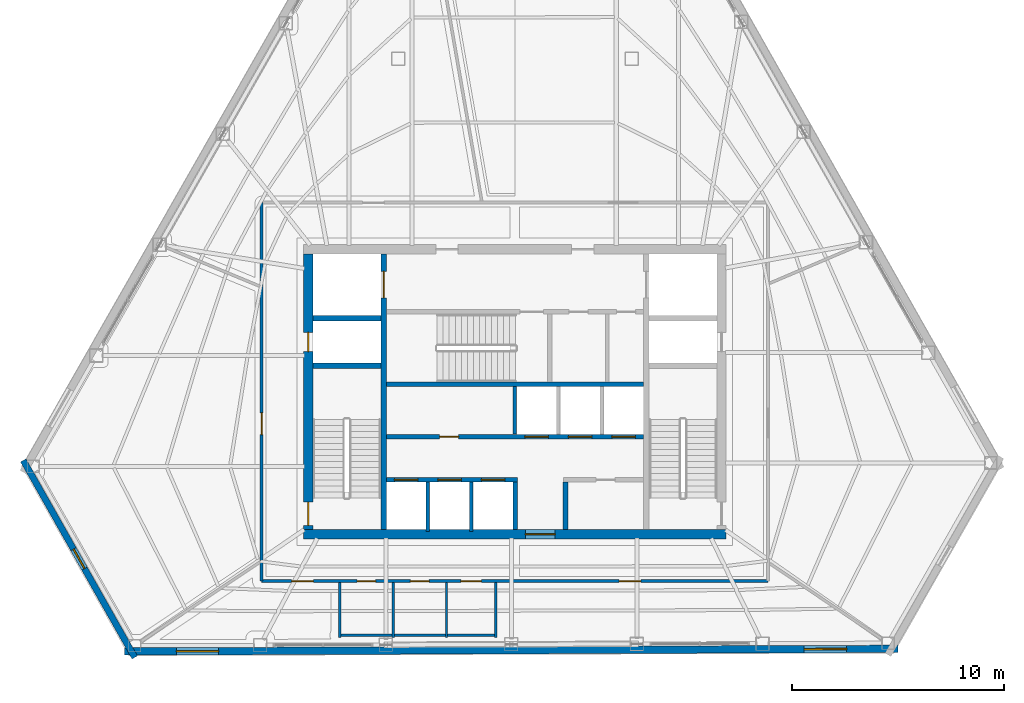
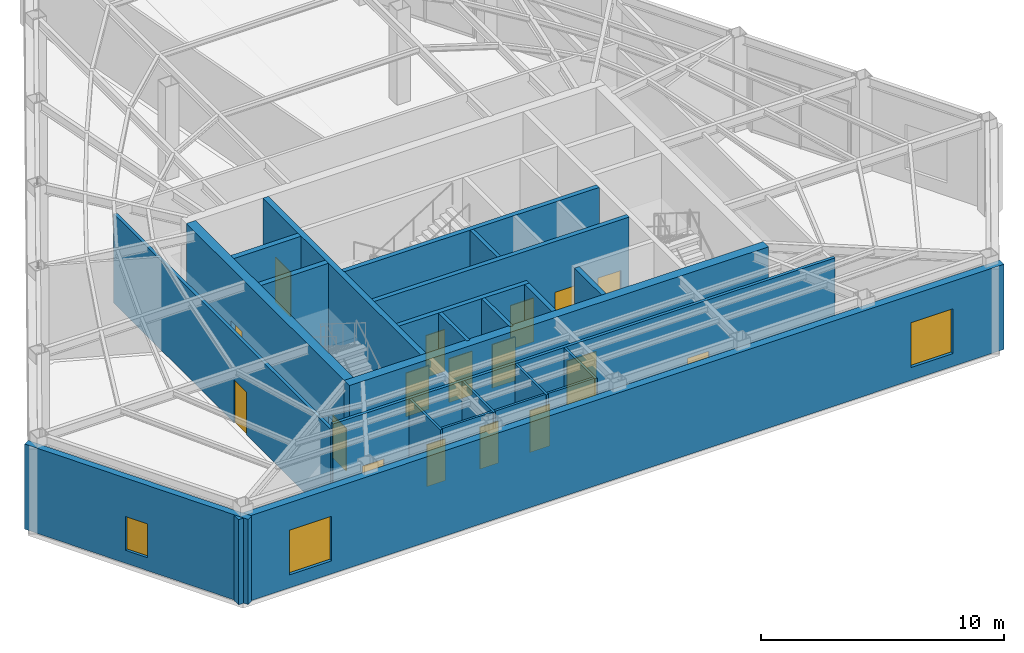
# One storey, part 10 of 14: 22 walls, 17 doors, 3 windows, 20 openings.
"""IFC4 building model written with IfcOpenShell, lengths in metres."""

from ifc_helpers import new_model, si_unit, direction, frame, frame_2d, origin, place, context, subcontext, project, spatial, rectangle, extrude, material, layer, layer_set, type_object, element, fill, save


model = new_model("IFC4")

# Units and contexts
model_context = context("Model", 3, precision=1e-05, world=origin(), true_north=direction((0.0, 1.0)))
body_context = subcontext(model_context, "Body", "Model", "MODEL_VIEW")
ifc_project = project(units=[si_unit("LENGTHUNIT", "METRE"), si_unit("AREAUNIT", "SQUARE_METRE"), si_unit("VOLUMEUNIT", "CUBIC_METRE"), si_unit("PLANEANGLEUNIT", "RADIAN"), si_unit("MASSUNIT", "GRAM", prefix="KILO")], contexts=[model_context])

# Site, building, storey
site_placement = place(None, origin())
site = spatial("IfcSite", under=ifc_project, at=site_placement, CompositionType="ELEMENT")
building_placement = place(site_placement, origin())
building = spatial("IfcBuilding", under=site, at=building_placement, Name="Kavelnor Concourse Tower", CompositionType="ELEMENT")
storey_placement = place(building_placement, frame((0.0, 0.0, 160.0)))
storey = spatial("IfcBuildingStorey", under=building, at=storey_placement, Name="L40", CompositionType="ELEMENT", Elevation=160.0)

# Wall, opening, door
ifc_material_1 = material(Name="Concrete C50/60", Category="concrete")
ifc_layer_1 = layer(ifc_material_1, 0.43994140625, Name="Concrete C50/60")
ifc_layer_set_1 = layer_set([ifc_layer_1], Name="Concrete C50/60")
wall_type_1 = type_object("IfcWallType", Name="WL-CORE-Z3-440", PredefinedType="SOLIDWALL", material=ifc_layer_set_1)
wall_1_placement = place(storey_placement, frame((28.0400390625, 9.3798828125, 0.0), z_axis=(0.0, 0.0, 1.0), x_axis=(1.0, 0.0, 0.0)))
wall_1 = element("IfcWall", 1, at=wall_1_placement, inside=storey, type_object=wall_type_1, Name="L40 Central Core South Shear Wall", PredefinedType="SOLIDWALL", context=body_context, shape_type="SweptSolid", body=[
    extrude(rectangle(XDim=19.919921875, YDim=0.43994140625, at=frame_2d((9.9599609375, 0.0))), origin(), (0.0, 0.0, 1.0), 4.75),
])
opening_1_placement = place(wall_1_placement, frame((10.4599609375, 0.0, 0.0)))
opening_1 = element("IfcOpeningElement", 2, at=opening_1_placement, cuts=wall_1, Name="Opening SD-140", PredefinedType="OPENING", context=body_context, shape_type="SweptSolid", body=[
    extrude(rectangle(XDim=1.39990234375, YDim=2.199951171875, at=frame_2d((0.699951171875, 1.10009765625))), frame((0.0, 0.22998046875, 0.0), z_axis=(0.0, -1.0, 0.0), x_axis=(1.0, 0.0, 0.0)), (0.0, 0.0, 1.0), 0.4599609375),
])
ifc_material_2 = material(Name="Solid-core hardwood timber", Category="wood")
door_type_1 = type_object("IfcDoorType", Name="DR-SUITE-ENTRY-1400", OperationType="NOTDEFINED", PredefinedType="DOOR", material=ifc_material_2)
door_1_placement = place(opening_1_placement, origin())
door_1 = element("IfcDoor", 3, at=door_1_placement, inside=storey, type_object=door_type_1, Name="L40 Passenger Lift Lobby Entry Door", OperationType="SINGLE_SWING_LEFT", OverallHeight=2.199951171875, OverallWidth=1.39990234375, PredefinedType="DOOR", context=body_context, shape_type="SweptSolid", body=[
    extrude(rectangle(XDim=1.39990234375, YDim=2.199951171875, at=frame_2d((0.699951171875, 1.10009765625))), frame((0.0, 0.02490234375, 0.0), z_axis=(0.0, -1.0, 0.0), x_axis=(1.0, 0.0, 0.0)), (0.0, 0.0, 1.0), 0.050048828125),
])
fill(opening_1, door_1)

# Wall, openings, doors
wall_2_placement = place(storey_placement, frame((28.260009765625, 9.60009765625, 0.0), z_axis=(0.0, 0.0, 1.0), x_axis=(0.0, 1.0, 0.0)))
wall_2 = element("IfcWall", 4, at=wall_2_placement, inside=storey, type_object=wall_type_1, Name="L40 Central Core West Shear Wall", PredefinedType="SOLIDWALL", context=body_context, shape_type="SweptSolid", body=[
    extrude(rectangle(XDim=13.0, YDim=0.43994140625, at=frame_2d((6.5, 0.0))), origin(), (0.0, 0.0, 1.0), 4.75),
])
opening_2_placement = place(wall_2_placement, frame((0.199951171875, 0.0, 0.0)))
opening_2 = element("IfcOpeningElement", 5, at=opening_2_placement, cuts=wall_2, Name="Opening FD-110", PredefinedType="OPENING", context=body_context, shape_type="SweptSolid", body=[
    extrude(rectangle(XDim=1.10009765625, YDim=2.14990234375, at=frame_2d((0.550048828125, 1.074951171875))), frame((0.0, 0.22998046875, 0.0), z_axis=(0.0, -1.0, 0.0), x_axis=(1.0, 0.0, 0.0)), (0.0, 0.0, 1.0), 0.4599609375),
])
opening_3_placement = place(wall_2_placement, frame((8.39990234375, 0.0, 0.0)))
opening_3 = element("IfcOpeningElement", 6, at=opening_3_placement, cuts=wall_2, Name="Opening FD-090", PredefinedType="OPENING", context=body_context, shape_type="SweptSolid", body=[
    extrude(rectangle(XDim=0.89990234375, YDim=2.10009765625, at=frame_2d((0.449951171875, 1.050048828125))), frame((0.0, 0.22998046875, 0.0), z_axis=(0.0, -1.0, 0.0), x_axis=(1.0, 0.0, 0.0)), (0.0, 0.0, 1.0), 0.4599609375),
])
ifc_material_3 = material(Name="Steel Grade 350", Category="steel")
door_type_2 = type_object("IfcDoorType", Name="DR-RISER-FIRE-900", OperationType="NOTDEFINED", PredefinedType="DOOR", material=ifc_material_3)
door_2_placement = place(opening_3_placement, origin())
door_2 = element("IfcDoor", 7, at=door_2_placement, inside=storey, type_object=door_type_2, Name="L40 West Riser Access Door", OperationType="SINGLE_SWING_RIGHT", OverallHeight=2.10009765625, OverallWidth=0.89990234375, PredefinedType="DOOR", context=body_context, shape_type="SweptSolid", body=[
    extrude(rectangle(XDim=0.89990234375, YDim=2.10009765625, at=frame_2d((0.449951171875, 1.050048828125))), frame((0.0, 0.02490234375, 0.0), z_axis=(0.0, -1.0, 0.0), x_axis=(1.0, 0.0, 0.0)), (0.0, 0.0, 1.0), 0.050048828125),
])
fill(opening_3, door_2)
door_type_3 = type_object("IfcDoorType", Name="DR-STAIR-FIRE-1100", OperationType="NOTDEFINED", PredefinedType="DOOR", material=ifc_material_3)
door_3_placement = place(opening_2_placement, origin())
door_3 = element("IfcDoor", 8, at=door_3_placement, inside=storey, type_object=door_type_3, Name="L40 Stair ST1 Fire Door", OperationType="SINGLE_SWING_LEFT", OverallHeight=2.14990234375, OverallWidth=1.10009765625, PredefinedType="DOOR", context=body_context, shape_type="SweptSolid", body=[
    extrude(rectangle(XDim=1.10009765625, YDim=2.14990234375, at=frame_2d((0.550048828125, 1.074951171875))), frame((0.0, 0.02490234375, 0.0), z_axis=(0.0, -1.0, 0.0), x_axis=(1.0, 0.0, 0.0)), (0.0, 0.0, 1.0), 0.050048828125),
])
fill(opening_2, door_3)

# Wall, opening, window
ifc_material_4 = material(Name="Buff ironspot clay face brick masonry", Category="masonry")
ifc_layer_2 = layer(ifc_material_4, 0.300048828125, Name="Buff ironspot clay face brick masonry")
ifc_layer_set_2 = layer_set([ifc_layer_2], Name="Buff ironspot clay face brick masonry")
wall_type_2 = type_object("IfcWallType", Name="WL-EXT-BUFF-BRICK-FOLD-300", PredefinedType="STANDARD", material=ifc_layer_set_2)
wall_3_placement = place(storey_placement, frame((20.08349609375, 3.58203125, 0.0), z_axis=(0.0, 0.0, 1.0), x_axis=(-0.492483138228, 0.870321985567, 0.0)))
wall_3 = element("IfcWall", 9, at=wall_3_placement, inside=storey, type_object=wall_type_2, Name="L40 Exterior Brick Facade Wall E2", PredefinedType="STANDARD", context=body_context, shape_type="SweptSolid", body=[
    extrude(rectangle(XDim=10.671142578125, YDim=0.300048828125, at=frame_2d((5.33544921875, 0.0))), origin(), (0.0, 0.0, 1.0), 4.281982421875),
])
opening_4_placement = place(wall_3_placement, frame((4.810546875, 0.0, 0.64990234375)))
opening_4 = element("IfcOpeningElement", 10, at=opening_4_placement, cuts=wall_3, Name="Opening W-06", PredefinedType="OPENING", context=body_context, shape_type="SweptSolid", body=[
    extrude(rectangle(XDim=1.050048828125, YDim=1.699951171875, at=frame_2d((0.52490234375, 0.85009765625))), frame((0.0, 0.16015625, 0.0), z_axis=(0.0, -1.0, 0.0), x_axis=(1.0, 0.0, 0.0)), (0.0, 0.0, 1.0), 0.320068359375),
])
ifc_material_5 = material(Name="Double low-E argon insulated glazing", Category="glass")
window_type_1 = type_object("IfcWindowType", Name="WIN-FOLD-1050", PartitioningType="SINGLE_PANEL", PredefinedType="WINDOW", material=ifc_material_5)
window_1_placement = place(opening_4_placement, origin())
window_1 = element("IfcWindow", 11, at=window_1_placement, inside=storey, type_object=window_type_1, Name="L40 Chamfer-Fold Facet Window C1", OverallHeight=1.699951171875, OverallWidth=1.050048828125, PartitioningType="SINGLE_PANEL", PredefinedType="WINDOW", context=body_context, shape_type="SweptSolid", body=[
    extrude(rectangle(XDim=1.050048828125, YDim=1.699951171875, at=frame_2d((0.52490234375, 0.85009765625))), frame((0.0, 0.030029296875, 0.0), z_axis=(0.0, -1.0, 0.0), x_axis=(1.0, 0.0, 0.0)), (0.0, 0.0, 1.0), 0.06005859375),
])
fill(opening_4, window_1)

# Wall, openings, windows
ifc_material_6 = material(Name="Red-ochre clay face brick masonry", Category="masonry")
ifc_layer_3 = layer(ifc_material_6, 0.35009765625, Name="Red-ochre clay face brick masonry")
ifc_layer_set_3 = layer_set([ifc_layer_3], Name="Red-ochre clay face brick masonry")
wall_type_3 = type_object("IfcWallType", Name="WL-EXT-RED-BRICK-PIER-350", PredefinedType="STANDARD", material=ifc_layer_set_3)
wall_4_placement = place(storey_placement, frame((56.0673828125, 3.985107421875, 0.0), z_axis=(0.0, 0.0, 1.0), x_axis=(-0.999994307151, -0.003374265262, 0.0)))
wall_4 = element("IfcWall", 12, at=wall_4_placement, inside=storey, type_object=wall_type_3, Name="L40 Exterior Brick Facade Wall E3", PredefinedType="STANDARD", context=body_context, shape_type="SweptSolid", body=[
    extrude(rectangle(XDim=36.46630859375, YDim=0.35009765625, at=frame_2d((18.233154296875, 0.0))), origin(), (0.0, 0.0, 1.0), 4.281982421875),
])
opening_5_placement = place(wall_4_placement, frame((32.026123046875, 0.0, 0.64990234375)))
opening_5 = element("IfcOpeningElement", 13, at=opening_5_placement, cuts=wall_4, Name="Opening W-07", PredefinedType="OPENING", context=body_context, shape_type="SweptSolid", body=[
    extrude(rectangle(XDim=2.0, YDim=2.25, at=frame_2d((1.0, 1.125))), frame((0.0, 0.18505859375, 0.0), z_axis=(0.0, -1.0, 0.0), x_axis=(1.0, 0.0, 0.0)), (0.0, 0.0, 1.0), 0.3701171875),
])
opening_6_placement = place(wall_4_placement, frame((2.436767578125, 0.0, 0.64990234375)))
opening_6 = element("IfcOpeningElement", 14, at=opening_6_placement, cuts=wall_4, Name="Opening W-07", PredefinedType="OPENING", context=body_context, shape_type="SweptSolid", body=[
    extrude(rectangle(XDim=2.0, YDim=2.25, at=frame_2d((1.0, 1.125))), frame((0.0, 0.18505859375, 0.0), z_axis=(0.0, -1.0, 0.0), x_axis=(1.0, 0.0, 0.0)), (0.0, 0.0, 1.0), 0.3701171875),
])
window_type_2 = type_object("IfcWindowType", Name="WIN-SKYLOBBY-2200", PartitioningType="SINGLE_PANEL", PredefinedType="WINDOW", material=ifc_material_5)
window_2_placement = place(opening_5_placement, origin())
window_2 = element("IfcWindow", 15, at=window_2_placement, inside=storey, type_object=window_type_2, Name="L40 Deep-Set Brick Pier Window F1-B0", OverallHeight=2.25, OverallWidth=2.0, PartitioningType="SINGLE_PANEL", PredefinedType="WINDOW", context=body_context, shape_type="SweptSolid", body=[
    extrude(rectangle(XDim=2.0, YDim=2.25, at=frame_2d((1.0, 1.125))), frame((0.0, 0.030029296875, 0.0), z_axis=(0.0, -1.0, 0.0), x_axis=(1.0, 0.0, 0.0)), (0.0, 0.0, 1.0), 0.06005859375),
])
fill(opening_5, window_2)
window_3_placement = place(opening_6_placement, origin())
window_3 = element("IfcWindow", 16, at=window_3_placement, inside=storey, type_object=window_type_2, Name="L40 Deep-Set Brick Pier Window F1-B5", OverallHeight=2.25, OverallWidth=2.0, PartitioningType="SINGLE_PANEL", PredefinedType="WINDOW", context=body_context, shape_type="SweptSolid", body=[
    extrude(rectangle(XDim=2.0, YDim=2.25, at=frame_2d((1.0, 1.125))), frame((0.0, 0.030029296875, 0.0), z_axis=(0.0, -1.0, 0.0), x_axis=(1.0, 0.0, 0.0)), (0.0, 0.0, 1.0), 0.06005859375),
])
fill(opening_6, window_3)

# Wall, opening, door
ifc_material_7 = material(Name="Gypsum plasterboard on light-gauge steel studs", Category="steel")
ifc_layer_4 = layer(ifc_material_7, 0.14501953125, Name="Gypsum plasterboard on light-gauge steel studs")
ifc_layer_set_4 = layer_set([ifc_layer_4], Name="Gypsum plasterboard on light-gauge steel studs")
wall_type_4 = type_object("IfcWallType", Name="WL-INT-CORR-145", PredefinedType="PARTITIONING", material=ifc_layer_set_4)
wall_5_placement = place(storey_placement, frame((26.06005859375, 25.02001953125, 0.0), z_axis=(0.0, 0.0, 1.0), x_axis=(0.0, -1.0, 0.0)))
wall_5 = element("IfcWall", 17, at=wall_5_placement, inside=storey, type_object=wall_type_4, Name="L40 Corridor Wall WL-L40-CR-03", PredefinedType="PARTITIONING", context=body_context, shape_type="SweptSolid", body=[
    extrude(rectangle(XDim=17.840087890625, YDim=0.14501953125, at=frame_2d((8.919921875, 0.0))), origin(), (0.0, 0.0, 1.0), 4.489013671875),
])
opening_7_placement = place(wall_5_placement, frame((9.912841796875, 0.0, 0.0)))
opening_7 = element("IfcOpeningElement", 18, at=opening_7_placement, cuts=wall_5, Name="Opening MD-102", PredefinedType="OPENING", context=body_context, shape_type="SweptSolid", body=[
    extrude(rectangle(XDim=1.02001953125, YDim=2.14990234375, at=frame_2d((0.510009765625, 1.074951171875))), frame((0.0, 0.08251953125, 0.0), z_axis=(0.0, -1.0, 0.0), x_axis=(1.0, 0.0, 0.0)), (0.0, 0.0, 1.0), 0.1650390625),
])
ifc_material_8 = material(Name="Acoustic glazed timber frame", Category="wood")
door_type_4 = type_object("IfcDoorType", Name="DR-MEETING-1020", OperationType="NOTDEFINED", PredefinedType="DOOR", material=ifc_material_8)
door_4_placement = place(opening_7_placement, origin())
door_4 = element("IfcDoor", 19, at=door_4_placement, inside=storey, type_object=door_type_4, Name="L40 Mid-Tower Symposium Boardroom 03 Door", OperationType="SINGLE_SWING_RIGHT", OverallHeight=2.14990234375, OverallWidth=1.02001953125, PredefinedType="DOOR", context=body_context, shape_type="SweptSolid", body=[
    extrude(rectangle(XDim=1.02001953125, YDim=2.14990234375, at=frame_2d((0.510009765625, 1.074951171875))), frame((0.0, 0.02490234375, 0.0), z_axis=(0.0, -1.0, 0.0), x_axis=(1.0, 0.0, 0.0)), (0.0, 0.0, 1.0), 0.050048828125),
])
fill(opening_7, door_4)

# Wall, openings, doors
wall_6_placement = place(storey_placement, frame((26.06005859375, 7.179931640625, 0.0), z_axis=(0.0, 0.0, 1.0), x_axis=(1.0, 0.0, 0.0)))
wall_6 = element("IfcWall", 20, at=wall_6_placement, inside=storey, type_object=wall_type_4, Name="L40 Corridor Wall WL-L40-CR-04", PredefinedType="PARTITIONING", context=body_context, shape_type="SweptSolid", body=[
    extrude(rectangle(XDim=23.8798828125, YDim=0.14501953125, at=frame_2d((11.93994140625, 0.0))), origin(), (0.0, 0.0, 1.0), 4.75),
])
opening_8_placement = place(wall_6_placement, frame((4.5, 0.0, 0.0)))
opening_8 = element("IfcOpeningElement", 21, at=opening_8_placement, cuts=wall_6, Name="Opening WD-088", PredefinedType="OPENING", context=body_context, shape_type="SweptSolid", body=[
    extrude(rectangle(XDim=0.8798828125, YDim=2.10009765625, at=frame_2d((0.43994140625, 1.050048828125))), frame((0.0, 0.08251953125, 0.0), z_axis=(0.0, -1.0, 0.0), x_axis=(1.0, 0.0, 0.0)), (0.0, 0.0, 1.0), 0.1650390625),
])
opening_9_placement = place(wall_6_placement, frame((7.02001953125, 0.0, 0.0)))
opening_9 = element("IfcOpeningElement", 22, at=opening_9_placement, cuts=wall_6, Name="Opening WD-088", PredefinedType="OPENING", context=body_context, shape_type="SweptSolid", body=[
    extrude(rectangle(XDim=0.8798828125, YDim=2.10009765625, at=frame_2d((0.43994140625, 1.050048828125))), frame((0.0, 0.08251953125, 0.0), z_axis=(0.0, -1.0, 0.0), x_axis=(1.0, 0.0, 0.0)), (0.0, 0.0, 1.0), 0.1650390625),
])
opening_10_placement = place(wall_6_placement, frame((9.39990234375, 0.0, 0.0)))
opening_10 = element("IfcOpeningElement", 23, at=opening_10_placement, cuts=wall_6, Name="Opening WD-096", PredefinedType="OPENING", context=body_context, shape_type="SweptSolid", body=[
    extrude(rectangle(XDim=0.9599609375, YDim=2.10009765625, at=frame_2d((0.47998046875, 1.050048828125))), frame((0.0, 0.08251953125, 0.0), z_axis=(0.0, -1.0, 0.0), x_axis=(1.0, 0.0, 0.0)), (0.0, 0.0, 1.0), 0.1650390625),
])
opening_11_placement = place(wall_6_placement, frame((1.420654296875, 0.0, 0.0)))
opening_11 = element("IfcOpeningElement", 24, at=opening_11_placement, cuts=wall_6, Name="Opening MD-102", PredefinedType="OPENING", context=body_context, shape_type="SweptSolid", body=[
    extrude(rectangle(XDim=1.02001953125, YDim=2.14990234375, at=frame_2d((0.510009765625, 1.074951171875))), frame((0.0, 0.08251953125, 0.0), z_axis=(0.0, -1.0, 0.0), x_axis=(1.0, 0.0, 0.0)), (0.0, 0.0, 1.0), 0.1650390625),
])
opening_12_placement = place(wall_6_placement, frame((16.859375, 0.0, 0.0)))
opening_12 = element("IfcOpeningElement", 25, at=opening_12_placement, cuts=wall_6, Name="Opening MD-102", PredefinedType="OPENING", context=body_context, shape_type="SweptSolid", body=[
    extrude(rectangle(XDim=1.02001953125, YDim=2.14990234375, at=frame_2d((0.510009765625, 1.074951171875))), frame((0.0, 0.08251953125, 0.0), z_axis=(0.0, -1.0, 0.0), x_axis=(1.0, 0.0, 0.0)), (0.0, 0.0, 1.0), 0.1650390625),
])
door_5_placement = place(opening_11_placement, origin())
door_5 = element("IfcDoor", 26, at=door_5_placement, inside=storey, type_object=door_type_4, Name="L40 Mid-Tower Briefing Boardroom 04 Door", OperationType="SINGLE_SWING_LEFT", OverallHeight=2.14990234375, OverallWidth=1.02001953125, PredefinedType="DOOR", context=body_context, shape_type="SweptSolid", body=[
    extrude(rectangle(XDim=1.02001953125, YDim=2.14990234375, at=frame_2d((0.510009765625, 1.074951171875))), frame((0.0, 0.02490234375, 0.0), z_axis=(0.0, -1.0, 0.0), x_axis=(1.0, 0.0, 0.0)), (0.0, 0.0, 1.0), 0.050048828125),
])
fill(opening_11, door_5)
door_6_placement = place(opening_12_placement, origin())
door_6 = element("IfcDoor", 27, at=door_6_placement, inside=storey, type_object=door_type_4, Name="L40 Mid-Tower Congress Boardroom 05 Door", OperationType="SINGLE_SWING_RIGHT", OverallHeight=2.14990234375, OverallWidth=1.02001953125, PredefinedType="DOOR", context=body_context, shape_type="SweptSolid", body=[
    extrude(rectangle(XDim=1.02001953125, YDim=2.14990234375, at=frame_2d((0.510009765625, 1.074951171875))), frame((0.0, 0.02490234375, 0.0), z_axis=(0.0, -1.0, 0.0), x_axis=(1.0, 0.0, 0.0)), (0.0, 0.0, 1.0), 0.050048828125),
])
fill(opening_12, door_6)
door_type_5 = type_object("IfcDoorType", Name="DR-WC-ACC-960", OperationType="NOTDEFINED", PredefinedType="DOOR", material=ifc_material_2)
door_7_placement = place(opening_10_placement, origin())
door_7 = element("IfcDoor", 28, at=door_7_placement, inside=storey, type_object=door_type_5, Name="L40 Accessible WC Door", OperationType="SINGLE_SWING_LEFT", OverallHeight=2.10009765625, OverallWidth=0.9599609375, PredefinedType="DOOR", context=body_context, shape_type="SweptSolid", body=[
    extrude(rectangle(XDim=0.9599609375, YDim=2.10009765625, at=frame_2d((0.47998046875, 1.050048828125))), frame((0.0, 0.02490234375, 0.0), z_axis=(0.0, -1.0, 0.0), x_axis=(1.0, 0.0, 0.0)), (0.0, 0.0, 1.0), 0.050048828125),
])
fill(opening_10, door_7)
door_type_6 = type_object("IfcDoorType", Name="DR-WC-STD-880", OperationType="NOTDEFINED", PredefinedType="DOOR", material=ifc_material_2)
door_8_placement = place(opening_8_placement, origin())
door_8 = element("IfcDoor", 29, at=door_8_placement, inside=storey, type_object=door_type_6, Name="L40 Male WC Door", OperationType="SINGLE_SWING_LEFT", OverallHeight=2.10009765625, OverallWidth=0.8798828125, PredefinedType="DOOR", context=body_context, shape_type="SweptSolid", body=[
    extrude(rectangle(XDim=0.8798828125, YDim=2.10009765625, at=frame_2d((0.43994140625, 1.050048828125))), frame((0.0, 0.02490234375, 0.0), z_axis=(0.0, -1.0, 0.0), x_axis=(1.0, 0.0, 0.0)), (0.0, 0.0, 1.0), 0.050048828125),
])
fill(opening_8, door_8)
door_9_placement = place(opening_9_placement, origin())
door_9 = element("IfcDoor", 30, at=door_9_placement, inside=storey, type_object=door_type_6, Name="L40 Female WC Door", OperationType="SINGLE_SWING_RIGHT", OverallHeight=2.10009765625, OverallWidth=0.8798828125, PredefinedType="DOOR", context=body_context, shape_type="SweptSolid", body=[
    extrude(rectangle(XDim=0.8798828125, YDim=2.10009765625, at=frame_2d((0.43994140625, 1.050048828125))), frame((0.0, 0.02490234375, 0.0), z_axis=(0.0, -1.0, 0.0), x_axis=(1.0, 0.0, 0.0)), (0.0, 0.0, 1.0), 0.050048828125),
])
fill(opening_9, door_9)

# Walls
ifc_layer_5 = layer(ifc_material_7, 0.1650390625, Name="Gypsum plasterboard on light-gauge steel studs")
ifc_layer_set_5 = layer_set([ifc_layer_5], Name="Gypsum plasterboard on light-gauge steel studs")
wall_type_5 = type_object("IfcWallType", Name="WL-INT-FIRE-165", PredefinedType="PARTITIONING", material=ifc_layer_set_5)
for number, where, z_axis, x_axis, name in (
    (31, (33.89990234375, 9.52001953125, 0.0), (0.0, 0.0, 1.0), (0.0, 1.0, 0.0), "L40 Lift Shaft Divider LP7"),
    (32, (35.949951171875, 9.52001953125, 0.0), (0.0, 0.0, 1.0), (0.0, 1.0, 0.0), "L40 Lift Shaft Divider LP8"),
):
    element("IfcWall", number, at=place(storey_placement, frame(where, z_axis=z_axis, x_axis=x_axis)), inside=storey, type_object=wall_type_5, Name=name, PredefinedType="PARTITIONING", context=body_context, shape_type="SweptSolid", body=[
        extrude(rectangle(XDim=2.320068359375, YDim=0.1650390625, at=frame_2d((1.16015625, 0.0))), origin(), (0.0, 0.0, 1.0), 4.75),
    ])
wall_7_placement = place(storey_placement, frame((38.0, 14.10009765625, 0.0), z_axis=(0.0, 0.0, 1.0), x_axis=(0.0, 1.0, 0.0)))
element("IfcWall", 33, at=wall_7_placement, inside=storey, type_object=wall_type_5, Name="L40 Reclaimed Core Zone Partition", PredefinedType="PARTITIONING", context=body_context, shape_type="SweptSolid", body=[
    extrude(rectangle(XDim=2.239990234375, YDim=0.1650390625, at=frame_2d((1.1201171875, 0.0))), origin(), (0.0, 0.0, 1.0), 4.75),
])
ifc_layer_6 = layer(ifc_material_7, 0.110107421875, Name="Gypsum plasterboard on light-gauge steel studs")
ifc_layer_set_6 = layer_set([ifc_layer_6], Name="Gypsum plasterboard on light-gauge steel studs")
wall_type_6 = type_object("IfcWallType", Name="WL-INT-WC-110", PredefinedType="PLUMBINGWALL", material=ifc_layer_set_6)
for number, where, z_axis, x_axis, name in (
    (34, (29.739990234375, 4.530029296875, 0.0), (0.0, 0.0, 1.0), (0.0, 1.0, 0.0), "L40 Sanitary Partition WL-L40-WC-W"),
    (35, (32.260009765625, 4.530029296875, 0.0), (0.0, 0.0, 1.0), (0.0, 1.0, 0.0), "L40 Sanitary Partition WL-L40-WC-D1"),
    (36, (34.780029296875, 4.530029296875, 0.0), (0.0, 0.0, 1.0), (0.0, 1.0, 0.0), "L40 Sanitary Partition WL-L40-WC-D2"),
    (37, (37.10009765625, 4.530029296875, 0.0), (0.0, 0.0, 1.0), (0.0, 1.0, 0.0), "L40 Sanitary Partition WL-L40-WC-E"),
):
    element("IfcWall", number, at=place(storey_placement, frame(where, z_axis=z_axis, x_axis=x_axis)), inside=storey, type_object=wall_type_6, Name=name, PredefinedType="PLUMBINGWALL", context=body_context, shape_type="SweptSolid", body=[
        extrude(rectangle(XDim=2.580078125, YDim=0.110107421875, at=frame_2d((1.2900390625, 0.0))), origin(), (0.0, 0.0, 1.0), 4.75),
    ])
wall_8_placement = place(storey_placement, frame((29.68994140625, 4.6298828125, 0.0), z_axis=(0.0, 0.0, 1.0), x_axis=(1.0, 0.0, 0.0)))
element("IfcWall", 38, at=wall_8_placement, inside=storey, type_object=wall_type_6, Name="L40 Sanitary Partition WL-L40-WC-S", PredefinedType="PLUMBINGWALL", context=body_context, shape_type="SweptSolid", body=[
    extrude(rectangle(XDim=7.4599609375, YDim=0.110107421875, at=frame_2d((3.72998046875, 0.0))), origin(), (0.0, 0.0, 1.0), 4.75),
])
ifc_layer_7 = layer(ifc_material_1, 0.219970703125, Name="Concrete C50/60")
ifc_layer_set_7 = layer_set([ifc_layer_7], Name="Concrete C50/60")
wall_type_7 = type_object("IfcWallType", Name="WL-SHAFT-220", PredefinedType="SOLIDWALL", material=ifc_layer_set_7)
wall_9_placement = place(storey_placement, frame((31.93994140625, 16.449951171875, 0.0), z_axis=(0.0, 0.0, 1.0), x_axis=(1.0, 0.0, 0.0)))
element("IfcWall", 39, at=wall_9_placement, inside=storey, type_object=wall_type_7, Name="L40 Stair ST3 South Core Wall", PredefinedType="SOLIDWALL", context=body_context, shape_type="SweptSolid", body=[
    extrude(rectangle(XDim=12.1201171875, YDim=0.219970703125, at=frame_2d((6.06005859375, 0.0))), origin(), (0.0, 0.0, 1.0), 4.75),
])

# Wall, openings, doors
wall_10_placement = place(storey_placement, frame((31.93994140625, 13.989990234375, 0.0), z_axis=(0.0, 0.0, 1.0), x_axis=(1.0, 0.0, 0.0)))
wall_10 = element("IfcWall", 40, at=wall_10_placement, inside=storey, type_object=wall_type_7, Name="L40 North Lift Row Shaft Wall", PredefinedType="SOLIDWALL", context=body_context, shape_type="SweptSolid", body=[
    extrude(rectangle(XDim=12.1201171875, YDim=0.219970703125, at=frame_2d((6.06005859375, 0.0))), origin(), (0.0, 0.0, 1.0), 4.75),
])
opening_13_placement = place(wall_10_placement, frame((2.510009765625, 0.0, 0.0)))
opening_13 = element("IfcOpeningElement", 41, at=opening_13_placement, cuts=wall_10, Name="Opening FD-090", PredefinedType="OPENING", context=body_context, shape_type="SweptSolid", body=[
    extrude(rectangle(XDim=0.89990234375, YDim=2.10009765625, at=frame_2d((0.449951171875, 1.050048828125))), frame((0.0, 0.1201171875, 0.0), z_axis=(0.0, -1.0, 0.0), x_axis=(1.0, 0.0, 0.0)), (0.0, 0.0, 1.0), 0.239990234375),
])
opening_14_placement = place(wall_10_placement, frame((6.534912109375, 0.0, 0.0)))
opening_14 = element("IfcOpeningElement", 42, at=opening_14_placement, cuts=wall_10, Name="Opening LD-110", PredefinedType="OPENING", context=body_context, shape_type="SweptSolid", body=[
    extrude(rectangle(XDim=1.10009765625, YDim=2.199951171875, at=frame_2d((0.550048828125, 1.10009765625))), frame((0.0, 0.1201171875, 0.0), z_axis=(0.0, -1.0, 0.0), x_axis=(1.0, 0.0, 0.0)), (0.0, 0.0, 1.0), 0.239990234375),
])
opening_15_placement = place(wall_10_placement, frame((8.5849609375, 0.0, 0.0)))
opening_15 = element("IfcOpeningElement", 43, at=opening_15_placement, cuts=wall_10, Name="Opening LD-110", PredefinedType="OPENING", context=body_context, shape_type="SweptSolid", body=[
    extrude(rectangle(XDim=1.10009765625, YDim=2.199951171875, at=frame_2d((0.550048828125, 1.10009765625))), frame((0.0, 0.1201171875, 0.0), z_axis=(0.0, -1.0, 0.0), x_axis=(1.0, 0.0, 0.0)), (0.0, 0.0, 1.0), 0.239990234375),
])
opening_16_placement = place(wall_10_placement, frame((10.635009765625, 0.0, 0.0)))
opening_16 = element("IfcOpeningElement", 44, at=opening_16_placement, cuts=wall_10, Name="Opening LD-110", PredefinedType="OPENING", context=body_context, shape_type="SweptSolid", body=[
    extrude(rectangle(XDim=1.10009765625, YDim=2.199951171875, at=frame_2d((0.550048828125, 1.10009765625))), frame((0.0, 0.1201171875, 0.0), z_axis=(0.0, -1.0, 0.0), x_axis=(1.0, 0.0, 0.0)), (0.0, 0.0, 1.0), 0.239990234375),
])
door_type_7 = type_object("IfcDoorType", Name="DR-LIFT-SLIDING-1100", OperationType="NOTDEFINED", PredefinedType="DOOR", material=ifc_material_3)
door_10_placement = place(opening_14_placement, origin())
door_10 = element("IfcDoor", 45, at=door_10_placement, inside=storey, type_object=door_type_7, Name="L40 Lift LP4 Landing Door", OperationType="DOUBLE_DOOR_SLIDING", OverallHeight=2.199951171875, OverallWidth=1.10009765625, PredefinedType="DOOR", context=body_context, shape_type="SweptSolid", body=[
    extrude(rectangle(XDim=1.10009765625, YDim=2.199951171875, at=frame_2d((0.550048828125, 1.10009765625))), frame((0.0, 0.02490234375, 0.0), z_axis=(0.0, -1.0, 0.0), x_axis=(1.0, 0.0, 0.0)), (0.0, 0.0, 1.0), 0.050048828125),
])
fill(opening_14, door_10)
door_11_placement = place(opening_15_placement, origin())
door_11 = element("IfcDoor", 46, at=door_11_placement, inside=storey, type_object=door_type_7, Name="L40 Lift LP5 Landing Door", OperationType="DOUBLE_DOOR_SLIDING", OverallHeight=2.199951171875, OverallWidth=1.10009765625, PredefinedType="DOOR", context=body_context, shape_type="SweptSolid", body=[
    extrude(rectangle(XDim=1.10009765625, YDim=2.199951171875, at=frame_2d((0.550048828125, 1.10009765625))), frame((0.0, 0.02490234375, 0.0), z_axis=(0.0, -1.0, 0.0), x_axis=(1.0, 0.0, 0.0)), (0.0, 0.0, 1.0), 0.050048828125),
])
fill(opening_15, door_11)
door_12_placement = place(opening_16_placement, origin())
door_12 = element("IfcDoor", 47, at=door_12_placement, inside=storey, type_object=door_type_7, Name="L40 Lift LP6 Landing Door", OperationType="DOUBLE_DOOR_SLIDING", OverallHeight=2.199951171875, OverallWidth=1.10009765625, PredefinedType="DOOR", context=body_context, shape_type="SweptSolid", body=[
    extrude(rectangle(XDim=1.10009765625, YDim=2.199951171875, at=frame_2d((0.550048828125, 1.10009765625))), frame((0.0, 0.02490234375, 0.0), z_axis=(0.0, -1.0, 0.0), x_axis=(1.0, 0.0, 0.0)), (0.0, 0.0, 1.0), 0.050048828125),
])
fill(opening_16, door_12)
door_13_placement = place(opening_13_placement, origin())
door_13 = element("IfcDoor", 48, at=door_13_placement, inside=storey, type_object=door_type_2, Name="L40 Core IT Room Door", OperationType="SINGLE_SWING_LEFT", OverallHeight=2.10009765625, OverallWidth=0.89990234375, PredefinedType="DOOR", context=body_context, shape_type="SweptSolid", body=[
    extrude(rectangle(XDim=0.89990234375, YDim=2.10009765625, at=frame_2d((0.449951171875, 1.050048828125))), frame((0.0, 0.02490234375, 0.0), z_axis=(0.0, -1.0, 0.0), x_axis=(1.0, 0.0, 0.0)), (0.0, 0.0, 1.0), 0.050048828125),
])
fill(opening_13, door_13)

wall_11_placement = place(storey_placement, frame((31.93994140625, 11.949951171875, 0.0), z_axis=(0.0, 0.0, 1.0), x_axis=(1.0, 0.0, 0.0)))
wall_11 = element("IfcWall", 49, at=wall_11_placement, inside=storey, type_object=wall_type_7, Name="L40 High-Rise Lift Bank North Wall", PredefinedType="SOLIDWALL", context=body_context, shape_type="SweptSolid", body=[
    extrude(rectangle(XDim=6.18994140625, YDim=0.219970703125, at=frame_2d((3.094970703125, 0.0))), origin(), (0.0, 0.0, 1.0), 4.75),
])
opening_17_placement = place(wall_11_placement, frame((0.385009765625, 0.0, 0.0)))
opening_17 = element("IfcOpeningElement", 50, at=opening_17_placement, cuts=wall_11, Name="Opening LD-110", PredefinedType="OPENING", context=body_context, shape_type="SweptSolid", body=[
    extrude(rectangle(XDim=1.10009765625, YDim=2.199951171875, at=frame_2d((0.550048828125, 1.10009765625))), frame((0.0, 0.1201171875, 0.0), z_axis=(0.0, -1.0, 0.0), x_axis=(1.0, 0.0, 0.0)), (0.0, 0.0, 1.0), 0.239990234375),
])
opening_18_placement = place(wall_11_placement, frame((2.43505859375, 0.0, 0.0)))
opening_18 = element("IfcOpeningElement", 51, at=opening_18_placement, cuts=wall_11, Name="Opening LD-110", PredefinedType="OPENING", context=body_context, shape_type="SweptSolid", body=[
    extrude(rectangle(XDim=1.10009765625, YDim=2.199951171875, at=frame_2d((0.550048828125, 1.10009765625))), frame((0.0, 0.1201171875, 0.0), z_axis=(0.0, -1.0, 0.0), x_axis=(1.0, 0.0, 0.0)), (0.0, 0.0, 1.0), 0.239990234375),
])
opening_19_placement = place(wall_11_placement, frame((4.485107421875, 0.0, 0.0)))
opening_19 = element("IfcOpeningElement", 52, at=opening_19_placement, cuts=wall_11, Name="Opening LD-110", PredefinedType="OPENING", context=body_context, shape_type="SweptSolid", body=[
    extrude(rectangle(XDim=1.10009765625, YDim=2.199951171875, at=frame_2d((0.550048828125, 1.10009765625))), frame((0.0, 0.1201171875, 0.0), z_axis=(0.0, -1.0, 0.0), x_axis=(1.0, 0.0, 0.0)), (0.0, 0.0, 1.0), 0.239990234375),
])
door_14_placement = place(opening_17_placement, origin())
door_14 = element("IfcDoor", 53, at=door_14_placement, inside=storey, type_object=door_type_7, Name="L40 Lift LP7 Landing Door", OperationType="DOUBLE_DOOR_SLIDING", OverallHeight=2.199951171875, OverallWidth=1.10009765625, PredefinedType="DOOR", context=body_context, shape_type="SweptSolid", body=[
    extrude(rectangle(XDim=1.10009765625, YDim=2.199951171875, at=frame_2d((0.550048828125, 1.10009765625))), frame((0.0, 0.02490234375, 0.0), z_axis=(0.0, -1.0, 0.0), x_axis=(1.0, 0.0, 0.0)), (0.0, 0.0, 1.0), 0.050048828125),
])
fill(opening_17, door_14)
door_15_placement = place(opening_18_placement, origin())
door_15 = element("IfcDoor", 54, at=door_15_placement, inside=storey, type_object=door_type_7, Name="L40 Lift LP8 Landing Door", OperationType="DOUBLE_DOOR_SLIDING", OverallHeight=2.199951171875, OverallWidth=1.10009765625, PredefinedType="DOOR", context=body_context, shape_type="SweptSolid", body=[
    extrude(rectangle(XDim=1.10009765625, YDim=2.199951171875, at=frame_2d((0.550048828125, 1.10009765625))), frame((0.0, 0.02490234375, 0.0), z_axis=(0.0, -1.0, 0.0), x_axis=(1.0, 0.0, 0.0)), (0.0, 0.0, 1.0), 0.050048828125),
])
fill(opening_18, door_15)
door_16_placement = place(opening_19_placement, origin())
door_16 = element("IfcDoor", 55, at=door_16_placement, inside=storey, type_object=door_type_7, Name="L40 Lift LP9 Landing Door", OperationType="DOUBLE_DOOR_SLIDING", OverallHeight=2.199951171875, OverallWidth=1.10009765625, PredefinedType="DOOR", context=body_context, shape_type="SweptSolid", body=[
    extrude(rectangle(XDim=1.10009765625, YDim=2.199951171875, at=frame_2d((0.550048828125, 1.10009765625))), frame((0.0, 0.02490234375, 0.0), z_axis=(0.0, -1.0, 0.0), x_axis=(1.0, 0.0, 0.0)), (0.0, 0.0, 1.0), 0.050048828125),
])
fill(opening_19, door_16)

# Walls
for number, where, z_axis, x_axis, name in (
    (56, (38.02001953125, 9.60009765625, 0.0), (0.0, 0.0, 1.0), (0.0, 1.0, 0.0), "L40 Lift Lobby Throat West Wall"),
    (57, (40.389892578125, 9.60009765625, 0.0), (0.0, 0.0, 1.0), (0.0, 1.0, 0.0), "L40 Lift Lobby Throat East Wall"),
):
    element("IfcWall", number, at=place(storey_placement, frame(where, z_axis=z_axis, x_axis=x_axis)), inside=storey, type_object=wall_type_7, Name=name, PredefinedType="SOLIDWALL", context=body_context, shape_type="SweptSolid", body=[
        extrude(rectangle(XDim=2.239990234375, YDim=0.219970703125, at=frame_2d((1.1201171875, 0.0))), origin(), (0.0, 0.0, 1.0), 4.75),
    ])

# Wall, opening, door
ifc_layer_8 = layer(ifc_material_1, 0.260009765625, Name="Concrete C50/60")
ifc_layer_set_8 = layer_set([ifc_layer_8], Name="Concrete C50/60")
wall_type_8 = type_object("IfcWallType", Name="WL-SHAFT-260", PredefinedType="SHEAR", material=ifc_layer_set_8)
wall_12_placement = place(storey_placement, frame((31.81005859375, 9.60009765625, 0.0), z_axis=(0.0, 0.0, 1.0), x_axis=(0.0, 1.0, 0.0)))
wall_12 = element("IfcWall", 58, at=wall_12_placement, inside=storey, type_object=wall_type_8, Name="L40 Core West Wing Shear Wall", PredefinedType="SHEAR", context=body_context, shape_type="SweptSolid", body=[
    extrude(rectangle(XDim=13.0, YDim=0.260009765625, at=frame_2d((6.5, 0.0))), origin(), (0.0, 0.0, 1.0), 4.75),
])
opening_20_placement = place(wall_12_placement, frame((10.925048828125, 0.0, 0.0)))
opening_20 = element("IfcOpeningElement", 59, at=opening_20_placement, cuts=wall_12, Name="Opening LD-125", PredefinedType="OPENING", context=body_context, shape_type="SweptSolid", body=[
    extrude(rectangle(XDim=1.25, YDim=2.25, at=frame_2d((0.625, 1.125))), frame((0.0, 0.14013671875, 0.0), z_axis=(0.0, -1.0, 0.0), x_axis=(1.0, 0.0, 0.0)), (0.0, 0.0, 1.0), 0.280029296875),
])
door_type_8 = type_object("IfcDoorType", Name="DR-LIFT-SLIDING-1250", OperationType="NOTDEFINED", PredefinedType="DOOR", material=ifc_material_3)
door_17_placement = place(opening_20_placement, origin())
door_17 = element("IfcDoor", 60, at=door_17_placement, inside=storey, type_object=door_type_8, Name="L40 Emergency Lift FL1 Landing Door", OperationType="DOUBLE_DOOR_SLIDING", OverallHeight=2.25, OverallWidth=1.25, PredefinedType="DOOR", context=body_context, shape_type="SweptSolid", body=[
    extrude(rectangle(XDim=1.25, YDim=2.25, at=frame_2d((0.625, 1.125))), frame((0.0, 0.02490234375, 0.0), z_axis=(0.0, -1.0, 0.0), x_axis=(1.0, 0.0, 0.0)), (0.0, 0.0, 1.0), 0.050048828125),
])
fill(opening_20, door_17)

# Walls
for number, where, z_axis, x_axis, name in (
    (61, (28.47998046875, 17.330078125, 0.0), (0.0, 0.0, 1.0), (1.0, 0.0, 0.0), "L40 Stair ST1 North Shaft Wall"),
    (62, (28.47998046875, 19.570068359375, 0.0), (0.0, 0.0, 1.0), (1.0, 0.0, 0.0), "L40 Emergency Lift FL1 South Shaft Wall"),
):
    element("IfcWall", number, at=place(storey_placement, frame(where, z_axis=z_axis, x_axis=x_axis)), inside=storey, type_object=wall_type_8, Name=name, PredefinedType="SHEAR", context=body_context, shape_type="SweptSolid", body=[
        extrude(rectangle(XDim=3.199951171875, YDim=0.260009765625, at=frame_2d((1.60009765625, 0.0))), origin(), (0.0, 0.0, 1.0), 4.75),
    ])

save(model, "model.ifc")
